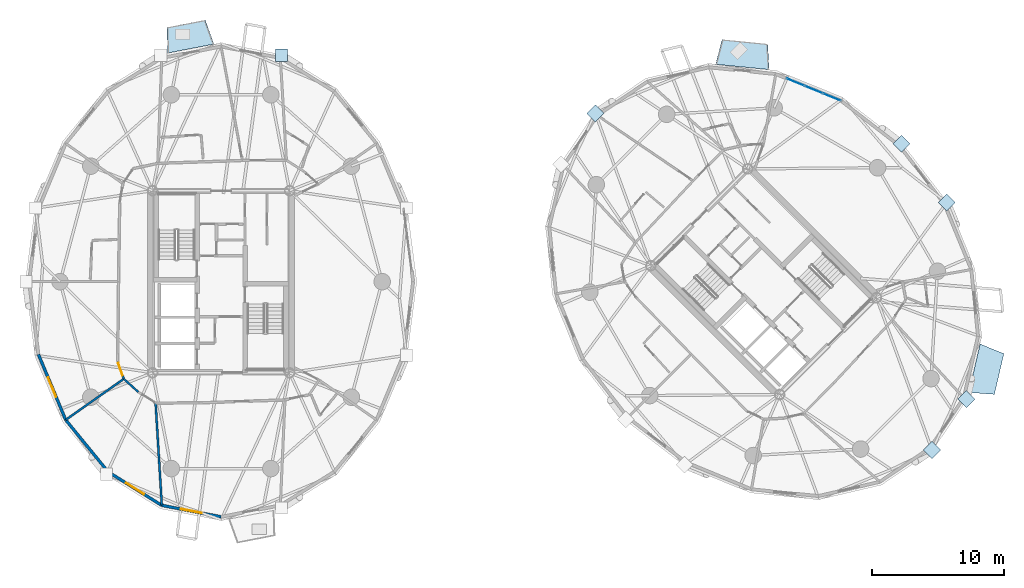
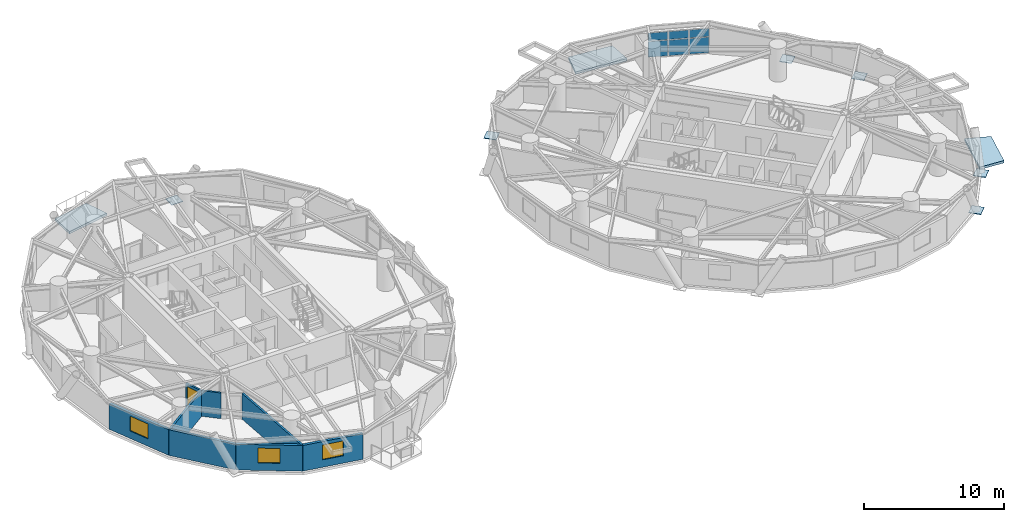
# One storey, part 9 of 19: 12 plates, 8 walls, 3 slabs, 3 windows, 1 door, 4 openings, 1 element without a shape of its own.
"""IFC4 building model written with IfcOpenShell, lengths in metres."""

import ifcopenshell
import ifcopenshell.guid

model = None  # the IFC model being written
_history = None  # IfcOwnerHistory: only IFC2X3 demands one
_inside = {}  # id of a spatial element -> (the spatial element, [elements in it])
_under = {}  # id of a project, library or spatial element -> (it, [spatial elements below it])
_declared = {}  # id of a project -> (the project, [libraries it declares])
_typed = {}  # id of a type object -> (the type object, [elements of that type])
_made_of = {}  # id of a material, layer set ... -> (it, [elements and type objects made of it])


def new_model(schema):
    """Start an empty IFC model of exactly this schema.

    Asked for "IFC4X3", IfcOpenShell would pick the latest addendum, in which some entities
    have other attributes; the version numbers below select the first issue.
    IFC2X3 requires an IfcOwnerHistory on every rooted entity: one is made here for all.
    """
    global model, _history
    if schema == "IFC4X3":
        model = ifcopenshell.file(schema_version=(4, 3, 0, 0))
    else:
        model = ifcopenshell.file(schema=schema)
    _inside.clear()
    _under.clear()
    _declared.clear()
    _typed.clear()
    _made_of.clear()
    _history = None
    if model.schema == "IFC2X3":
        org = make("IfcOrganization", Name="unknown")
        user = make(
            "IfcPersonAndOrganization",
            ThePerson=make("IfcPerson", FamilyName="unknown"),
            TheOrganization=org,
        )
        app = make(
            "IfcApplication",
            ApplicationDeveloper=org,
            Version="unknown",
            ApplicationFullName="unknown",
            ApplicationIdentifier="unknown",
        )
        _history = make(
            "IfcOwnerHistory",
            OwningUser=user,
            OwningApplication=app,
            ChangeAction="ADDED",
            CreationDate=0,
        )
    return model


def make(cls, **values):
    """One entity of the class cls with the attributes given. An attribute that is None is left unset."""
    return model.create_entity(
        cls, **{name: value for name, value in values.items() if value is not None}
    )


def rooted(cls, **values):
    """An entity with a GlobalId (a new one), such as an element, a storey or a relation."""
    return make(cls, GlobalId=ifcopenshell.guid.new(), OwnerHistory=_history, **values)


def si_unit(unit_type, name, prefix=None):
    """IfcSIUnit, for example si_unit("LENGTHUNIT", "METRE", prefix="MILLI")."""
    return make("IfcSIUnit", UnitType=unit_type, Prefix=prefix, Name=name)


def assignment(units):
    """IfcUnitAssignment: the units of a project."""
    return None if units is None else make("IfcUnitAssignment", Units=units)


def point(xyz):
    """IfcCartesianPoint."""
    return None if xyz is None else make("IfcCartesianPoint", Coordinates=xyz)


def direction(xyz):
    """IfcDirection."""
    return None if xyz is None else make("IfcDirection", DirectionRatios=xyz)


def frame(location, z_axis=None, x_axis=None):
    """IfcAxis2Placement3D, a coordinate frame: its origin and axes. An axis left out is left unset."""
    return make(
        "IfcAxis2Placement3D",
        Location=point(location),
        Axis=direction(z_axis),
        RefDirection=direction(x_axis),
    )


def frame_2d(location, x_axis=None):
    """IfcAxis2Placement2D, a coordinate frame in the plane: its origin and x axis."""
    return make(
        "IfcAxis2Placement2D", Location=point(location), RefDirection=direction(x_axis)
    )


def origin():
    """The frame at (0, 0, 0) with its axes left unset."""
    return frame((0.0, 0.0, 0.0))


def origin_2d():
    """The frame at (0, 0) in the plane with its x axis left unset."""
    return frame_2d((0.0, 0.0))


def place(relative_to, where):
    """IfcLocalPlacement: puts the frame where relative to a parent placement (None: the world)."""
    return make(
        "IfcLocalPlacement", PlacementRelTo=relative_to, RelativePlacement=where
    )


def context(
    kind, dimensions, precision=None, world=None, true_north=None, identifier=None
):
    """IfcGeometricRepresentationContext, for example the 3D "Model" context."""
    return make(
        "IfcGeometricRepresentationContext",
        ContextIdentifier=identifier,
        ContextType=kind,
        CoordinateSpaceDimension=dimensions,
        Precision=precision,
        WorldCoordinateSystem=world,
        TrueNorth=true_north,
    )


def subcontext(parent, identifier, kind, view, scale=None):
    """IfcGeometricRepresentationSubContext, for example "Body" below "Model"."""
    return make(
        "IfcGeometricRepresentationSubContext",
        ContextIdentifier=identifier,
        ContextType=kind,
        ParentContext=parent,
        TargetScale=scale,
        TargetView=view,
    )


def project(units=None, contexts=None):
    """IfcProject with its units and contexts."""
    return rooted(
        "IfcProject",
        Name="project",
        RepresentationContexts=contexts,
        UnitsInContext=assignment(units),
    )


def spatial(cls, under=None, at=None, **own):
    """A site, building, storey or space (cls), placed at a placement, below another one or the project."""
    s = rooted(cls, ObjectPlacement=at, **own)
    if under is not None:
        _under.setdefault(under.id(), (under, []))[1].append(s)
    return s


def polyline(points):
    """IfcPolyline through the points."""
    return make("IfcPolyline", Points=[point(p) for p in points])


def profile(cls, at=None, kind="AREA", **sizes):
    """A parametric profile (cls). Its sizes go by their IFC names, for example OverallWidth=200.0."""
    return make(cls, ProfileType=kind, Position=at, **sizes)


def rectangle(**sizes):
    """IfcRectangleProfileDef."""
    return profile("IfcRectangleProfileDef", **sizes)


def outline(outer, holes=None, kind="AREA"):
    """IfcArbitraryClosedProfileDef: a profile drawn as a closed curve; with holes, ...WithVoids."""
    if holes is None:
        return make("IfcArbitraryClosedProfileDef", ProfileType=kind, OuterCurve=outer)
    return make(
        "IfcArbitraryProfileDefWithVoids",
        ProfileType=kind,
        OuterCurve=outer,
        InnerCurves=holes,
    )


def extrude(swept, where, along, depth):
    """IfcExtrudedAreaSolid: the profile swept, set in the frame where, extruded along a direction by depth."""
    return make(
        "IfcExtrudedAreaSolid",
        SweptArea=swept,
        Position=where,
        ExtrudedDirection=direction(along),
        Depth=depth,
    )


def shape(context_of_items, identifier, shape_type, items):
    """IfcShapeRepresentation: the items that make up one representation, for example the "Body"."""
    return make(
        "IfcShapeRepresentation",
        ContextOfItems=context_of_items,
        RepresentationIdentifier=identifier,
        RepresentationType=shape_type,
        Items=items,
    )


def source(mapping_origin, context_of_items, identifier, shape_type, items):
    """IfcRepresentationMap: a shape defined once, which mapped items show again and again."""
    return make(
        "IfcRepresentationMap",
        MappingOrigin=mapping_origin,
        MappedRepresentation=shape(context_of_items, identifier, shape_type, items),
    )


def transform(
    local_origin,
    x_axis=None,
    y_axis=None,
    z_axis=None,
    scale=None,
    scale2=None,
    scale3=None,
    uniform=True,
):
    """IfcCartesianTransformationOperator3D, or its non-uniform kind. x_axis, y_axis, z_axis: its Axis1, 2, 3."""
    if uniform:
        return make(
            "IfcCartesianTransformationOperator3D",
            Axis1=direction(x_axis),
            Axis2=direction(y_axis),
            LocalOrigin=point(local_origin),
            Scale=scale,
            Axis3=direction(z_axis),
        )
    return make(
        "IfcCartesianTransformationOperator3DnonUniform",
        Axis1=direction(x_axis),
        Axis2=direction(y_axis),
        LocalOrigin=point(local_origin),
        Scale=scale,
        Axis3=direction(z_axis),
        Scale2=scale2,
        Scale3=scale3,
    )


def mapped(mapping_source, mapping_target):
    """IfcMappedItem: shows the shape of a source again, moved by a transform."""
    return make(
        "IfcMappedItem", MappingSource=mapping_source, MappingTarget=mapping_target
    )


def material(Name=None, Category=None):
    """IfcMaterial."""
    return make("IfcMaterial", Name=Name, Category=Category)


def layer(
    of_material, thickness, ventilated=None, Name=None, Category=None, Priority=None
):
    """IfcMaterialLayer: one layer of a wall or slab, of a material (None: an air gap)."""
    return make(
        "IfcMaterialLayer",
        Material=of_material,
        LayerThickness=thickness,
        IsVentilated=ventilated,
        Name=Name,
        Category=Category,
        Priority=Priority,
    )


def layer_set(layers, Name=None):
    """IfcMaterialLayerSet."""
    return make("IfcMaterialLayerSet", MaterialLayers=layers, LayerSetName=Name)


def made_of(thing, what):
    """Note that an element or type object is made of a material, layer set ...; save() writes the relation."""
    if what is not None:
        _made_of.setdefault(what.id(), (what, []))[1].append(thing)
    return thing


def type_object(cls, material=None, **own):
    """A type object (cls), such as IfcWallType, which elements share."""
    return made_of(rooted(cls, **own), material)


def element(
    cls,
    number,
    at=None,
    inside=None,
    cuts=None,
    type_object=None,
    material=None,
    context=None,
    identifier="Body",
    shape_type=None,
    held_by="IfcProductDefinitionShape",
    body=None,
    shapes=None,
    **own,
):
    """One element of the class cls, such as IfcWall. Its Tag is "e" and its number.

    at: its placement. inside: the storey or other place that contains it. cuts: it is an
    opening in that element (IfcRelVoidsElement). A single representation is given by context,
    identifier, shape_type and body (its items); several are given by shapes. held_by: the class
    of the entity that holds the representations. save() writes the other relations.
    """
    e = rooted(cls, Tag="e%d" % number, ObjectPlacement=at, **own)
    if body is not None:
        shapes = [shape(context, identifier, shape_type, body)]
    if shapes is not None:
        e.Representation = make(held_by, Representations=shapes)
    if inside is not None:
        _inside.setdefault(inside.id(), (inside, []))[1].append(e)
    if cuts is not None:
        rooted(
            "IfcRelVoidsElement", RelatingBuildingElement=cuts, RelatedOpeningElement=e
        )
    if type_object is not None:
        _typed.setdefault(type_object.id(), (type_object, []))[1].append(e)
    return made_of(e, material)


def fill(opening, filler):
    """IfcRelFillsElement: the door or window that sits in an opening."""
    return rooted(
        "IfcRelFillsElement",
        RelatingOpeningElement=opening,
        RelatedBuildingElement=filler,
    )


def aggregate(whole, parts):
    """IfcRelAggregates: a whole, such as a stair, and the parts it consists of."""
    return rooted("IfcRelAggregates", RelatingObject=whole, RelatedObjects=parts)


def save(model, path):
    """Write the relations noted so far, then the file.

    IfcRelAggregates (storeys below a building ...), IfcRelContainedInSpatialStructure (elements
    in a storey), IfcRelDefinesByType, IfcRelAssociatesMaterial and IfcRelDeclares: one each for
    every whole, place, type object, material and project.
    """
    for whole, parts in _under.values():
        aggregate(whole, parts)
    for where, things in _inside.values():
        rooted(
            "IfcRelContainedInSpatialStructure",
            RelatedElements=things,
            RelatingStructure=where,
        )
    for kind, things in _typed.values():
        rooted("IfcRelDefinesByType", RelatedObjects=things, RelatingType=kind)
    for what, things in _made_of.values():
        rooted("IfcRelAssociatesMaterial", RelatedObjects=things, RelatingMaterial=what)
    for by, libraries in _declared.values():
        rooted("IfcRelDeclares", RelatingContext=by, RelatedDefinitions=libraries)
    model.write(path)


model = new_model("IFC4")

# Units and contexts
model_context = context("Model", 3, precision=1e-05, world=origin(), true_north=direction((0.0, 1.0)))
body_context = subcontext(model_context, "Body", "Model", "MODEL_VIEW")
ifc_project = project(units=[si_unit("LENGTHUNIT", "METRE"), si_unit("AREAUNIT", "SQUARE_METRE"), si_unit("VOLUMEUNIT", "CUBIC_METRE"), si_unit("PLANEANGLEUNIT", "RADIAN"), si_unit("MASSUNIT", "GRAM", prefix="KILO")], contexts=[model_context])

# Site, building, storey
site_placement = place(None, origin())
site = spatial("IfcSite", under=ifc_project, at=site_placement, CompositionType="ELEMENT")
building_placement = place(site_placement, origin())
building = spatial("IfcBuilding", under=site, at=building_placement, Name="Cununo Teusaquillo Station Towers", CompositionType="ELEMENT")
storey_placement = place(building_placement, frame((0.0, 0.0, 151.60009765625)))
storey = spatial("IfcBuildingStorey", under=building, at=storey_placement, Name="L47", CompositionType="ELEMENT", Elevation=151.60009765625)

# Slabs
ifc_material_1 = material(Name="Concrete C50/60", Category="concrete")
ifc_layer_1 = layer(ifc_material_1, 0.2099609375)
ifc_layer_set_1 = layer_set([ifc_layer_1], Name="Concrete C50/60")
slab_type = type_object("IfcSlabType", Name="SLB-BAL-210", PredefinedType="FLOOR", material=ifc_layer_set_1)
slab_1_placement = place(storey_placement, frame((0.0, 0.0, -0.210205078125)))
element("IfcSlab", 1, at=slab_1_placement, inside=storey, type_object=slab_type, Name="L47 Tower A Tree Balcony Slab 1", PredefinedType="FLOOR", context=body_context, shape_type="SweptSolid", body=[
    extrude(outline(polyline([(15.958984375, 42.45068359375), (12.46728515625, 41.77587890625), (12.3984375, 43.712890625), (15.30126953125, 44.27392578125), (15.958984375, 42.45068359375)])), origin(), (0.0, 0.0, 1.0), 0.210205078125),
])
slab_2_placement = place(storey_placement, frame((0.0, 0.0, -0.210205078125)))
element("IfcSlab", 2, at=slab_2_placement, inside=storey, type_object=slab_type, Name="L47 Tower B Tree Balcony Slab 1", PredefinedType="FLOOR", context=body_context, shape_type="SweptSolid", body=[
    extrude(outline(polyline([(57.914794921875, 40.52490234375), (53.871337890625, 40.92578125), (54.358642578125, 42.8017578125), (57.80517578125, 42.460205078125), (57.914794921875, 40.52490234375)])), origin(), (0.0, 0.0, 1.0), 0.210205078125),
])
slab_3_placement = place(storey_placement, frame((0.0, 0.0, -0.210205078125)))
element("IfcSlab", 3, at=slab_3_placement, inside=storey, type_object=slab_type, Name="L47 Tower B Tree Balcony Slab 2", PredefinedType="FLOOR", context=body_context, shape_type="SweptSolid", body=[
    extrude(outline(polyline([(73.001220703125, 16.128662109375), (73.854736328125, 19.78662109375), (75.651611328125, 19.059326171875), (74.934326171875, 15.985595703125), (73.001220703125, 16.128662109375)])), origin(), (0.0, 0.0, 1.0), 0.210205078125),
])

# Plates
ifc_material_2 = material(Name="Steel ASTM A572 Grade 50", Category="steel")
ifc_layer_2 = layer(ifc_material_2, 0.050048828125)
ifc_layer_set_2 = layer_set([ifc_layer_2], Name="Steel ASTM A572 Grade 50")
plate_type_1 = type_object("IfcPlateType", Name="PLT-NODE-DN1", PredefinedType="USERDEFINED", material=ifc_layer_set_2)
shared_shape_1 = source(origin(), body_context, "Body", "SweptSolid", [
    extrude(rectangle(XDim=0.919921875, YDim=0.919921875, at=origin_2d()), origin(), (0.0, 0.0, 1.0), 0.050048828125),
])
for number, where, z_axis, x_axis, name in (
    (4, (21.053466796875, 41.609619140625, -0.1650390625), (0.0, 0.0, 1.0), (1.0, 0.0, 0.0), "L47 Tower A Diagrid Node Assembly C03"),
    (5, (67.919189453125, 34.919189453125, -0.1650390625), (0.0, 0.0, 1.0), (0.707106781187, 0.707106781187, 0.0), "L47 Tower B Diagrid Node Assembly C00"),
    (6, (44.779052734375, 37.220947265625, -0.1650390625), (0.0, 0.0, 1.0), (0.707106781187, 0.707106781187, 0.0), "L47 Tower B Diagrid Node Assembly C04"),
    (7, (70.220947265625, 11.779052734375, -0.1650390625), (0.0, 0.0, 1.0), (0.707106781187, 0.707106781187, 0.0), "L47 Tower B Diagrid Node Assembly C14"),
    (8, (72.818115234375, 15.62158203125, -0.1650390625), (0.0, 0.0, 1.0), (0.707106781187, 0.707106781187, 0.0), "L47 Tower B Diagrid Node Assembly C16"),
    (9, (71.340087890625, 30.478271484375, -0.1650390625), (0.0, 0.0, 1.0), (0.707106781187, 0.707106781187, 0.0), "L47 Tower B Diagrid Node Assembly C18"),
):
    element("IfcPlate", number, at=place(storey_placement, frame(where, z_axis=z_axis, x_axis=x_axis)), inside=storey, type_object=plate_type_1, Name=name, ObjectType="GUSSET PLATE", PredefinedType="USERDEFINED", context=body_context, shape_type="MappedRepresentation", body=[
        mapped(shared_shape_1, transform((0.0, 0.0, 0.0), x_axis=(1.0, 0.0, 0.0), y_axis=(0.0, 1.0, 0.0), z_axis=(0.0, 0.0, 1.0), scale=1.0)),
    ])

# Curtain wall, plates
ifc_material_3 = material(Name="Operable acoustic tinted low-E double glazing", Category="glass")
ifc_layer_3 = layer(ifc_material_3, 0.179931640625)
ifc_layer_set_3 = layer_set([ifc_layer_3], Name="Operable acoustic tinted low-E double glazing")
curtain_wall_type = type_object("IfcCurtainWallType", Name="CW-SYS-06", PredefinedType="USERDEFINED", material=ifc_layer_set_3)
curtain_wall_placement = place(storey_placement, origin())
curtain_wall = element("IfcCurtainWall", 10, at=curtain_wall_placement, inside=storey, type_object=curtain_wall_type, Name="L47 Tower B Facade Curtain Wall C01", ObjectType="OPERABLE GLAZING", PredefinedType="USERDEFINED")
ifc_material_4 = material(Name="Operable acoustic tinted low-E double glazing", Category="glass")
ifc_layer_4 = layer(ifc_material_4, 0.031982421875)
ifc_layer_set_4 = layer_set([ifc_layer_4], Name="Operable acoustic tinted low-E double glazing")
plate_type_2 = type_object("IfcPlateType", Name="CWP-OPER-32", PredefinedType="CURTAIN_PANEL", material=ifc_layer_set_4)
shared_shape_2 = source(origin(), body_context, "Body", "SweptSolid", [
    extrude(rectangle(XDim=1.40771484375, YDim=0.031982421875, at=origin_2d()), origin(), (0.0, 0.0, 1.0), 1.361572265625),
])
plate_1_placement = place(storey_placement, frame((59.91455078125, 39.572265625, 0.06494140625), z_axis=(0.0, 0.0, 1.0), x_axis=(0.924524840588, -0.381121790423, 0.0)))
plate_1 = element("IfcPlate", 11, at=plate_1_placement, type_object=plate_type_2, Name="CW-06 panel 1.1", PredefinedType="CURTAIN_PANEL", context=body_context, shape_type="MappedRepresentation", body=[
    mapped(shared_shape_2, transform((0.0, 0.0, 0.0), x_axis=(1.0, 0.0, 0.0), y_axis=(0.0, 1.0, 0.0), z_axis=(0.0, 0.0, 1.0), scale=1.0)),
])
plate_2_placement = place(storey_placement, frame((62.667724609375, 38.437255859375, 0.06494140625), z_axis=(0.0, 0.0, 1.0), x_axis=(0.924524840588, -0.381121790423, 0.0)))
plate_2 = element("IfcPlate", 12, at=plate_2_placement, type_object=plate_type_2, Name="CW-06 panel 3.1", PredefinedType="CURTAIN_PANEL", context=body_context, shape_type="MappedRepresentation", body=[
    mapped(shared_shape_2, transform((0.0, 0.0, 0.0), x_axis=(1.0, 0.0, 0.0), y_axis=(0.0, 1.0, 0.0), z_axis=(0.0, 0.0, 1.0), scale=1.0)),
])
shared_shape_3 = source(origin(), body_context, "Body", "SweptSolid", [
    extrude(rectangle(XDim=1.40771484375, YDim=0.031982421875, at=origin_2d()), origin(), (0.0, 0.0, 1.0), 0.6884765625),
])
plate_3_placement = place(storey_placement, frame((59.91455078125, 39.572265625, 1.491455078125), z_axis=(0.0, 0.0, 1.0), x_axis=(0.924524840588, -0.381121790423, 0.0)))
plate_3 = element("IfcPlate", 13, at=plate_3_placement, type_object=plate_type_2, Name="CW-06 panel 1.2", PredefinedType="CURTAIN_PANEL", context=body_context, shape_type="MappedRepresentation", body=[
    mapped(shared_shape_3, transform((0.0, 0.0, 0.0), x_axis=(1.0, 0.0, 0.0), y_axis=(0.0, 1.0, 0.0), z_axis=(0.0, 0.0, 1.0), scale=1.0)),
])
plate_4_placement = place(storey_placement, frame((62.667724609375, 38.437255859375, 1.491455078125), z_axis=(0.0, 0.0, 1.0), x_axis=(0.924524840588, -0.381121790423, 0.0)))
plate_4 = element("IfcPlate", 14, at=plate_4_placement, type_object=plate_type_2, Name="CW-06 panel 3.2", PredefinedType="CURTAIN_PANEL", context=body_context, shape_type="MappedRepresentation", body=[
    mapped(shared_shape_3, transform((0.0, 0.0, 0.0), x_axis=(1.0, 0.0, 0.0), y_axis=(0.0, 1.0, 0.0), z_axis=(0.0, 0.0, 1.0), scale=1.0)),
])
shared_shape_4 = source(origin(), body_context, "Body", "SweptSolid", [
    extrude(rectangle(XDim=1.440185546875, YDim=0.031982421875, at=origin_2d()), origin(), (0.0, 0.0, 1.0), 1.361572265625),
])
plate_5_placement = place(storey_placement, frame((61.291015625, 39.004638671875, 0.06494140625), z_axis=(0.0, 0.0, 1.0), x_axis=(0.924524840588, -0.381121790423, 0.0)))
plate_5 = element("IfcPlate", 15, at=plate_5_placement, type_object=plate_type_2, Name="CW-06 panel 2.1", PredefinedType="CURTAIN_PANEL", context=body_context, shape_type="MappedRepresentation", body=[
    mapped(shared_shape_4, transform((0.0, 0.0, 0.0), x_axis=(1.0, 0.0, 0.0), y_axis=(0.0, 1.0, 0.0), z_axis=(0.0, 0.0, 1.0), scale=1.0)),
])
shared_shape_5 = source(origin(), body_context, "Body", "SweptSolid", [
    extrude(rectangle(XDim=1.440185546875, YDim=0.031982421875, at=origin_2d()), origin(), (0.0, 0.0, 1.0), 0.6884765625),
])
plate_6_placement = place(storey_placement, frame((61.291015625, 39.004638671875, 1.491455078125), z_axis=(0.0, 0.0, 1.0), x_axis=(0.924524840588, -0.381121790423, 0.0)))
plate_6 = element("IfcPlate", 16, at=plate_6_placement, type_object=plate_type_2, Name="CW-06 panel 2.2", PredefinedType="CURTAIN_PANEL", context=body_context, shape_type="MappedRepresentation", body=[
    mapped(shared_shape_5, transform((0.0, 0.0, 0.0), x_axis=(1.0, 0.0, 0.0), y_axis=(0.0, 1.0, 0.0), z_axis=(0.0, 0.0, 1.0), scale=1.0)),
])
aggregate(curtain_wall, [plate_1, plate_3, plate_5, plate_6, plate_2, plate_4])

# Wall, opening, window
ifc_material_5 = material(Name="Precast concrete C40/50", Category="concrete")
ifc_layer_5 = layer(ifc_material_5, 0.219970703125)
ifc_layer_set_5 = layer_set([ifc_layer_5], Name="Precast concrete C40/50")
wall_type_1 = type_object("IfcWallType", Name="WL-EXT-220", PredefinedType="SOLIDWALL", material=ifc_layer_set_5)
wall_1_placement = place(storey_placement, frame((4.757080078125, 14.05517578125, 0.0), z_axis=(0.0, 0.0, 1.0), x_axis=(-0.384259959969, 0.923224936386, 0.0)))
wall_1 = element("IfcWall", 17, at=wall_1_placement, inside=storey, type_object=wall_type_1, Name="L47 Tower A Exterior Facade Wall C11", PredefinedType="SOLIDWALL", context=body_context, shape_type="SweptSolid", body=[
    extrude(rectangle(XDim=5.365478515625, YDim=0.219970703125, at=frame_2d((2.6826171875, 0.0))), origin(), (0.0, 0.0, 1.0), 2.244873046875),
])
shared_shape_6 = source(origin(), body_context, "Body", "SweptSolid", [
    extrude(rectangle(XDim=1.60009765625, YDim=1.300048828125, at=frame_2d((0.800048828125, 0.64990234375))), frame((0.0, 0.119873046875, 0.0), z_axis=(0.0, -1.0, 0.0), x_axis=(1.0, 0.0, 0.0)), (0.0, 0.0, 1.0), 0.239990234375),
])
opening_1_placement = place(wall_1_placement, frame((1.883056640625, 0.0, 0.64990234375)))
opening_1 = element("IfcOpeningElement", 18, at=opening_1_placement, cuts=wall_1, Name="Opening WN-03", PredefinedType="OPENING", context=body_context, shape_type="MappedRepresentation", body=[
    mapped(shared_shape_6, transform((0.0, 0.0, 0.0), x_axis=(1.0, 0.0, 0.0), y_axis=(0.0, 1.0, 0.0), z_axis=(0.0, 0.0, 1.0), scale=1.0)),
])
ifc_material_6 = material(Name="Ceramic-fritted dark low-E double glazing", Category="glass")
window_type = type_object("IfcWindowType", Name="WIN-CORN-1600", PartitioningType="SINGLE_PANEL", PredefinedType="WINDOW", material=ifc_material_6)
shared_shape_7 = source(origin(), body_context, "Body", "SweptSolid", [
    extrude(rectangle(XDim=1.60009765625, YDim=1.300048828125, at=frame_2d((0.800048828125, 0.64990234375))), frame((0.0, 0.030029296875, 0.0), z_axis=(0.0, -1.0, 0.0), x_axis=(1.0, 0.0, 0.0)), (0.0, 0.0, 1.0), 0.06005859375),
])
window_1_placement = place(opening_1_placement, origin())
window_1 = element("IfcWindow", 19, at=window_1_placement, inside=storey, type_object=window_type, Name="L47 Tower A Facade Window C11", OverallHeight=1.300048828125, OverallWidth=1.60009765625, PartitioningType="SINGLE_PANEL", PredefinedType="WINDOW", context=body_context, shape_type="MappedRepresentation", body=[
    mapped(shared_shape_7, transform((0.0, 0.0, 0.0), x_axis=(1.0, 0.0, 0.0), y_axis=(0.0, 1.0, 0.0), z_axis=(0.0, 0.0, 1.0), scale=1.0)),
])
fill(opening_1, window_1)

# Wall
wall_2_placement = place(storey_placement, frame((7.96826171875, 10.123779296875, 0.0), z_axis=(0.0, 0.0, 1.0), x_axis=(-0.632598524901, 0.774479894053, 0.0)))
element("IfcWall", 20, at=wall_2_placement, inside=storey, type_object=wall_type_1, Name="L47 Tower A Exterior Facade Wall C12", PredefinedType="SOLIDWALL", context=body_context, shape_type="SweptSolid", body=[
    extrude(rectangle(XDim=5.076171875, YDim=0.219970703125, at=frame_2d((2.5380859375, 0.0))), origin(), (0.0, 0.0, 1.0), 2.244873046875),
])

# Wall, opening, window
wall_3_placement = place(storey_placement, frame((12.0146484375, 7.599609375, 0.0), z_axis=(0.0, 0.0, 1.0), x_axis=(-0.848452391194, 0.529271707044, 0.0)))
wall_3 = element("IfcWall", 21, at=wall_3_placement, inside=storey, type_object=wall_type_1, Name="L47 Tower A Exterior Facade Wall C13", PredefinedType="SOLIDWALL", context=body_context, shape_type="SweptSolid", body=[
    extrude(rectangle(XDim=4.76904296875, YDim=0.219970703125, at=frame_2d((2.384521484375, 0.0))), origin(), (0.0, 0.0, 1.0), 2.244873046875),
])
opening_2_placement = place(wall_3_placement, frame((1.5849609375, 0.0, 0.64990234375)))
opening_2 = element("IfcOpeningElement", 22, at=opening_2_placement, cuts=wall_3, Name="Opening WN-03", PredefinedType="OPENING", context=body_context, shape_type="MappedRepresentation", body=[
    mapped(shared_shape_6, transform((0.0, 0.0, 0.0), x_axis=(1.0, 0.0, 0.0), y_axis=(0.0, 1.0, 0.0), z_axis=(0.0, 0.0, 1.0), scale=1.0)),
])
window_2_placement = place(opening_2_placement, origin())
window_2 = element("IfcWindow", 23, at=window_2_placement, inside=storey, type_object=window_type, Name="L47 Tower A Facade Window C13", OverallHeight=1.300048828125, OverallWidth=1.60009765625, PartitioningType="SINGLE_PANEL", PredefinedType="WINDOW", context=body_context, shape_type="MappedRepresentation", body=[
    mapped(shared_shape_7, transform((0.0, 0.0, 0.0), x_axis=(1.0, 0.0, 0.0), y_axis=(0.0, 1.0, 0.0), z_axis=(0.0, 0.0, 1.0), scale=1.0)),
])
fill(opening_2, window_2)

wall_4_placement = place(storey_placement, frame((16.5, 6.72998046875, 0.0), z_axis=(0.0, 0.0, 1.0), x_axis=(-0.981718699963, 0.190337579429, 0.0)))
wall_4 = element("IfcWall", 24, at=wall_4_placement, inside=storey, type_object=wall_type_1, Name="L47 Tower A Exterior Facade Wall C14", PredefinedType="SOLIDWALL", context=body_context, shape_type="SweptSolid", body=[
    extrude(rectangle(XDim=4.56884765625, YDim=0.219970703125, at=frame_2d((2.284423828125, 0.0))), origin(), (0.0, 0.0, 1.0), 2.244873046875),
])
opening_3_placement = place(wall_4_placement, frame((1.48388671875, 0.0, 0.64990234375)))
opening_3 = element("IfcOpeningElement", 25, at=opening_3_placement, cuts=wall_4, Name="Opening WN-03", PredefinedType="OPENING", context=body_context, shape_type="MappedRepresentation", body=[
    mapped(shared_shape_6, transform((0.0, 0.0, 0.0), x_axis=(1.0, 0.0, 0.0), y_axis=(0.0, 1.0, 0.0), z_axis=(0.0, 0.0, 1.0), scale=1.0)),
])
window_3_placement = place(opening_3_placement, origin())
window_3 = element("IfcWindow", 26, at=window_3_placement, inside=storey, type_object=window_type, Name="L47 Tower A Facade Window C14", OverallHeight=1.300048828125, OverallWidth=1.60009765625, PartitioningType="SINGLE_PANEL", PredefinedType="WINDOW", context=body_context, shape_type="MappedRepresentation", body=[
    mapped(shared_shape_7, transform((0.0, 0.0, 0.0), x_axis=(1.0, 0.0, 0.0), y_axis=(0.0, 1.0, 0.0), z_axis=(0.0, 0.0, 1.0), scale=1.0)),
])
fill(opening_3, window_3)

# Wall, opening, door
ifc_material_7 = material(Name="Fire-rated gypsum plasterboard partition assembly", Category="gypsum")
ifc_layer_6 = layer(ifc_material_7, 0.14990234375)
ifc_layer_set_6 = layer_set([ifc_layer_6], Name="Fire-rated gypsum plasterboard partition assembly")
wall_type_2 = type_object("IfcWallType", Name="WL-PART-150", PredefinedType="PARTITIONING", material=ifc_layer_set_6)
wall_5_placement = place(storey_placement, frame((8.68505859375, 18.468505859375, 0.0), z_axis=(0.0, 0.0, 1.0), x_axis=(0.333415749461, -0.942779899028, 0.0)))
wall_5 = element("IfcWall", 27, at=wall_5_placement, inside=storey, type_object=wall_type_2, Name="L47 Tower A Corridor Ring Wall C11", PredefinedType="PARTITIONING", context=body_context, shape_type="SweptSolid", body=[
    extrude(rectangle(XDim=1.3935546875, YDim=0.14990234375, at=frame_2d((0.69677734375, 0.0))), origin(), (0.0, 0.0, 1.0), 2.244873046875),
])
shared_shape_8 = source(origin(), body_context, "Body", "SweptSolid", [
    extrude(rectangle(XDim=1.0, YDim=2.014892578125, at=frame_2d((0.5, 1.00732421875))), frame((0.0, 0.0849609375, 0.0), z_axis=(0.0, -1.0, 0.0), x_axis=(1.0, 0.0, 0.0)), (0.0, 0.0, 1.0), 0.169921875),
])
opening_4_placement = place(wall_5_placement, frame((0.1201171875, 0.0, 0.0)))
opening_4 = element("IfcOpeningElement", 28, at=opening_4_placement, cuts=wall_5, Name="Opening D-AC1", PredefinedType="OPENING", context=body_context, shape_type="MappedRepresentation", body=[
    mapped(shared_shape_8, transform((0.0, 0.0, 0.0), x_axis=(1.0, 0.0, 0.0), y_axis=(0.0, 1.0, 0.0), z_axis=(0.0, 0.0, 1.0), scale=1.0)),
])
ifc_material_8 = material(Name="Acoustic solid-core hardwood leaf assembly", Category="wood")
door_type = type_object("IfcDoorType", Name="DR-ACC-1000", OperationType="NOTDEFINED", PredefinedType="DOOR", material=ifc_material_8)
shared_shape_9 = source(origin(), body_context, "Body", "SweptSolid", [
    extrude(rectangle(XDim=1.0, YDim=2.014892578125, at=frame_2d((0.5, 1.00732421875))), frame((0.0, 0.02490234375, 0.0), z_axis=(0.0, -1.0, 0.0), x_axis=(1.0, 0.0, 0.0)), (0.0, 0.0, 1.0), 0.050048828125),
])
door_placement = place(opening_4_placement, origin())
door = element("IfcDoor", 29, at=door_placement, inside=storey, type_object=door_type, Name="L47 Tower A Public Accessible Restroom WC Entrance Door", OperationType="SINGLE_SWING_LEFT", OverallHeight=2.014892578125, OverallWidth=1.0, PredefinedType="DOOR", context=body_context, shape_type="MappedRepresentation", body=[
    mapped(shared_shape_9, transform((0.0, 0.0, 0.0), x_axis=(1.0, 0.0, 0.0), y_axis=(0.0, 1.0, 0.0), z_axis=(0.0, 0.0, 1.0), scale=1.0)),
])
fill(opening_4, door)

# Walls
wall_6_placement = place(storey_placement, frame((9.149658203125, 17.15478515625, 0.0), z_axis=(0.0, 0.0, 1.0), x_axis=(0.740451494731, -0.672109800517, 0.0)))
element("IfcWall", 30, at=wall_6_placement, inside=storey, type_object=wall_type_2, Name="L47 Tower A Corridor Ring Wall C12", PredefinedType="PARTITIONING", context=body_context, shape_type="SweptSolid", body=[
    extrude(rectangle(XDim=1.46826171875, YDim=0.14990234375, at=frame_2d((0.734130859375, 0.0))), origin(), (0.0, 0.0, 1.0), 2.244873046875),
])
ifc_material_9 = material(Name="Fire-rated gypsum plasterboard partition assembly", Category="gypsum")
ifc_layer_7 = layer(ifc_material_9, 0.159912109375)
ifc_layer_set_7 = layer_set([ifc_layer_7], Name="Fire-rated gypsum plasterboard partition assembly")
wall_type_3 = type_object("IfcWallType", Name="WL-PART-160", PredefinedType="PARTITIONING", material=ifc_layer_set_7)
wall_7_placement = place(storey_placement, frame((9.149658203125, 17.15478515625, 0.0), z_axis=(0.0, 0.0, 1.0), x_axis=(-0.81708911443, -0.576511386774, 0.0)))
element("IfcWall", 31, at=wall_7_placement, inside=storey, type_object=wall_type_3, Name="L47 Tower A Radial Suite Partition R06", PredefinedType="PARTITIONING", context=body_context, shape_type="SweptSolid", body=[
    extrude(rectangle(XDim=5.356201171875, YDim=0.159912109375, at=frame_2d((2.67822265625, 0.0))), origin(), (0.0, 0.0, 1.0), 2.244873046875),
])
wall_8_placement = place(storey_placement, frame((11.5517578125, 15.32568359375, 0.0), z_axis=(0.0, 0.0, 1.0), x_axis=(0.060740403573, -0.998153597085, 0.0)))
element("IfcWall", 32, at=wall_8_placement, inside=storey, type_object=wall_type_3, Name="L47 Tower A Radial Suite Partition R07", PredefinedType="PARTITIONING", context=body_context, shape_type="SweptSolid", body=[
    extrude(rectangle(XDim=7.72119140625, YDim=0.159912109375, at=frame_2d((3.860595703125, 0.0))), origin(), (0.0, 0.0, 1.0), 2.244873046875),
])

save(model, "model.ifc")
